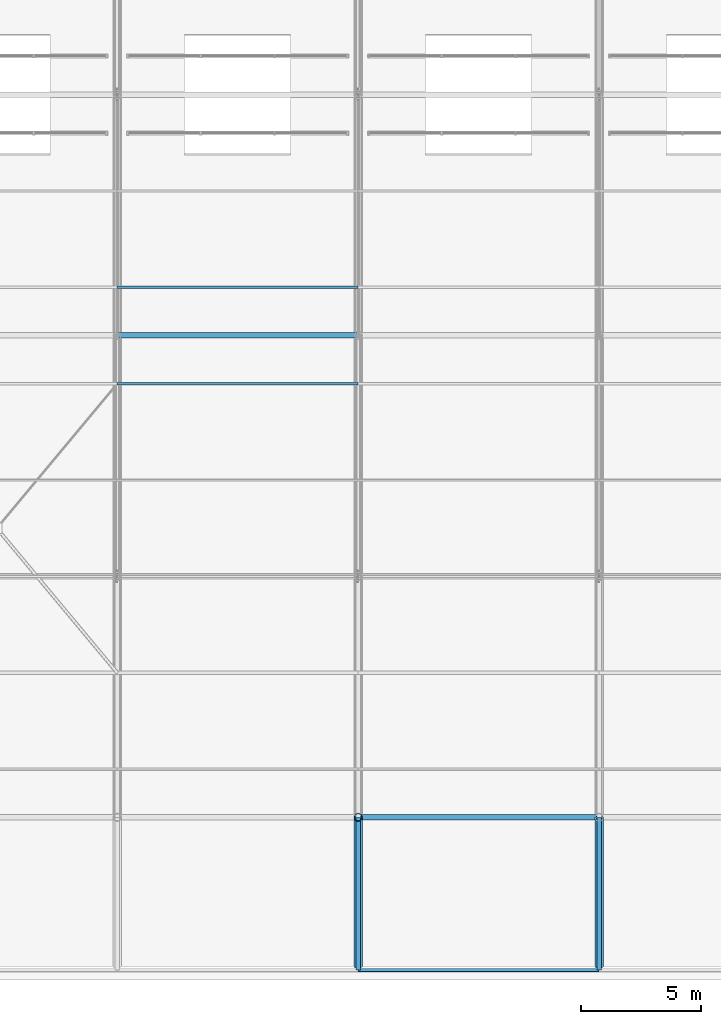
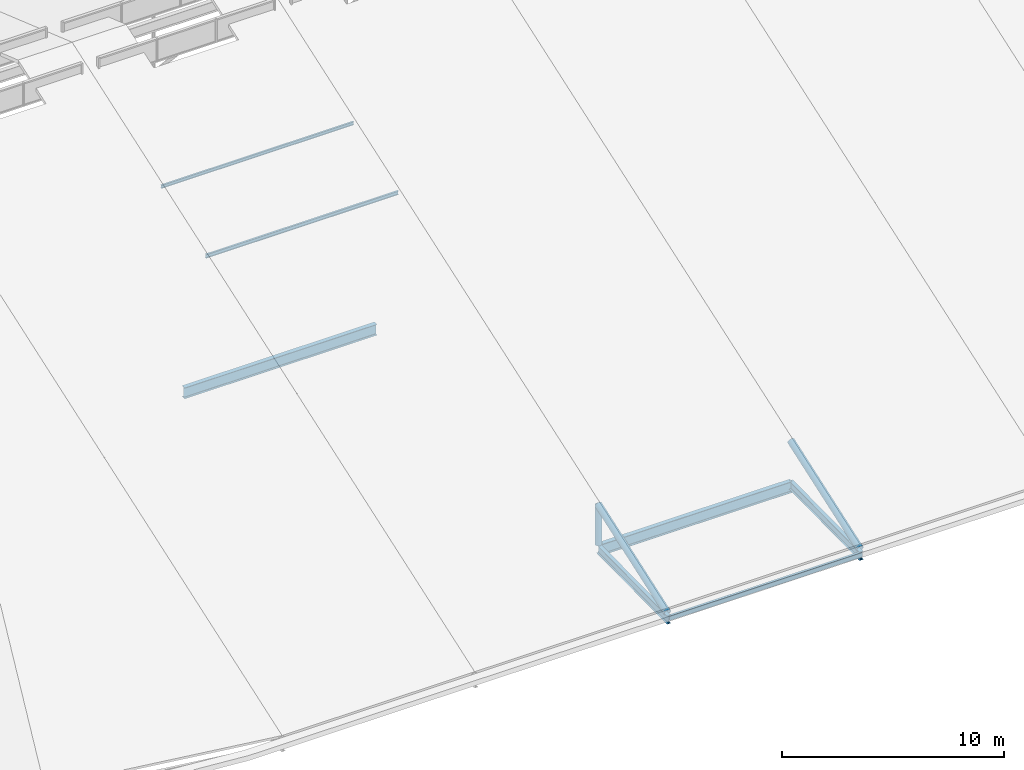
# One storey, part 16 of 93: 5 beams, 5 members.
"""IFC4 building model written with IfcOpenShell, lengths in metres."""

from ifc_helpers import new_model, si_unit, derived_unit, direction, frame, origin, origin_2d_with_axis, place, context, subcontext, project, spatial, hollow_rectangle, hollow_circle, i_section, extrude, material, material_profile, profile_set, type_object, element, save


model = new_model("IFC4")

# Units and contexts
model_context = context("Model", 3, precision=1e-05, world=origin(), true_north=direction((0.0, 1.0)))
body_context = subcontext(model_context, "Body", "Model", "MODEL_VIEW")
ifc_project = project(units=[si_unit("LENGTHUNIT", "METRE"), si_unit("AREAUNIT", "SQUARE_METRE"), si_unit("VOLUMEUNIT", "CUBIC_METRE"), si_unit("PLANEANGLEUNIT", "RADIAN"), si_unit("MASSUNIT", "GRAM", prefix="KILO"), derived_unit("THERMALTRANSMITTANCEUNIT", [(si_unit("POWERUNIT", "WATT"), 1), (si_unit("LENGTHUNIT", "METRE"), -2), (si_unit("THERMODYNAMICTEMPERATUREUNIT", "KELVIN"), -1)])], contexts=[model_context])

# Site, building, storey
site_placement = place(None, origin())
site = spatial("IfcSite", under=ifc_project, at=site_placement, CompositionType="ELEMENT")
building_placement = place(site_placement, origin())
building = spatial("IfcBuilding", under=site, at=building_placement, Name="Cinnabar Yard Market Hall", CompositionType="ELEMENT")
storey_placement = place(building_placement, frame((0.0, 0.0, 23.800048828125)))
storey = spatial("IfcBuildingStorey", under=building, at=storey_placement, Name="ROOF", CompositionType="ELEMENT", Elevation=23.800048828125)

# Beams
ifc_material_1 = material(Name="Steel Grade 350 (350 MPa)", Category="steel")
ifc_material_profile_1 = material_profile(ifc_material_1, i_section(OverallWidth=0.22900390625, OverallDepth=0.611572265625, WebThickness=0.011962890625, FlangeThickness=0.01953125, FilletRadius=0.013916015625, at=origin_2d_with_axis()), Name="610UB125")
ifc_profile_set_1 = profile_set([ifc_material_profile_1], Name="Steel Grade 350 (350 MPa)")
beam_type_1 = type_object("IfcBeamType", Name="BM-B01E", PredefinedType="BEAM", material=ifc_profile_set_1)
beam_1_placement = place(storey_placement, frame((106.0, 14.0, -9.705810546875), z_axis=(1.0, 0.0, 0.0), x_axis=(0.0, 1.0, 0.0)))
element("IfcBeam", 1, at=beam_1_placement, inside=storey, type_object=beam_type_1, Name="South Springer Girder 00360", PredefinedType="BEAM", context=body_context, shape_type="SweptSolid", body=[
    extrude(i_section(OverallWidth=0.22900390625, OverallDepth=0.611572265625, WebThickness=0.011962890625, FlangeThickness=0.01953125, FilletRadius=0.013916015625, at=origin_2d_with_axis()), origin(), (0.0, 0.0, 1.0), 10.0),
])
ifc_material_2 = material(Name="Steel Grade 300 (300 MPa)", Category="steel")
ifc_material_profile_2 = material_profile(ifc_material_2, i_section(OverallWidth=0.22802734375, OverallDepth=0.60205078125, WebThickness=0.010498046875, FlangeThickness=0.014892578125, FilletRadius=0.013916015625, at=origin_2d_with_axis()), Name="610UB101")
ifc_profile_set_2 = profile_set([ifc_material_profile_2], Name="Steel Grade 300 (300 MPa)")
beam_type_2 = type_object("IfcBeamType", Name="BM-B02", PredefinedType="BEAM", material=ifc_profile_set_2)
beam_2_placement = place(storey_placement, frame((96.0, 34.0, -9.700927734375), z_axis=(1.0, 0.0, 0.0), x_axis=(0.0, 1.0, 0.0)))
element("IfcBeam", 2, at=beam_2_placement, inside=storey, type_object=beam_type_2, Name="Hall Longitudinal Tie Girder 00382", PredefinedType="BEAM", context=body_context, shape_type="SweptSolid", body=[
    extrude(i_section(OverallWidth=0.22802734375, OverallDepth=0.60205078125, WebThickness=0.010498046875, FlangeThickness=0.014892578125, FilletRadius=0.013916015625, at=origin_2d_with_axis()), origin(), (0.0, 0.0, 1.0), 10.0),
])
ifc_material_profile_3 = material_profile(ifc_material_2, i_section(OverallWidth=0.19091796875, OverallDepth=0.46044921875, WebThickness=0.010009765625, FlangeThickness=0.01611328125, FilletRadius=0.011474609375, at=origin_2d_with_axis()), Name="460UB82.1")
ifc_profile_set_3 = profile_set([ifc_material_profile_3], Name="Steel Grade 300 (300 MPa)")
beam_type_3 = type_object("IfcBeamType", Name="BM-RF02E", PredefinedType="BEAM", material=ifc_profile_set_3)
for number, where, z_axis, x_axis, name in (
    (3, (106.0, 14.0, -9.630126953125), (0.0, -0.999920245484, -0.012629436656), (1.0, 0.0, 0.0), "South Chhajja Cantilever Rafter 00529"),
    (4, (116.0, 14.0, -9.630126953125), (0.0, -0.999920245484, -0.012629436656), (1.0, 0.0, 0.0), "South Chhajja Cantilever Rafter 00533"),
):
    element("IfcBeam", number, at=place(storey_placement, frame(where, z_axis=z_axis, x_axis=x_axis)), inside=storey, type_object=beam_type_3, Name=name, PredefinedType="BEAM", context=body_context, shape_type="SweptSolid", body=[
        extrude(i_section(OverallWidth=0.19091796875, OverallDepth=0.46044921875, WebThickness=0.010009765625, FlangeThickness=0.01611328125, FilletRadius=0.011474609375, at=origin_2d_with_axis()), origin(), (0.0, 0.0, 1.0), 6.340576171875),
    ])
ifc_material_3 = material(Name="Cold-formed steel C350L0", Category="steel")
ifc_material_profile_4 = material_profile(ifc_material_3, hollow_rectangle(XDim=0.14990234375, YDim=0.25, WallThickness=0.009033203125, InnerFilletRadius=0.009033203125, OuterFilletRadius=0.01806640625, at=origin_2d_with_axis()), Name="250x150x9.0RHS")
ifc_profile_set_4 = profile_set([ifc_material_profile_4], Name="Cold-formed steel C350L0")
beam_type_4 = type_object("IfcBeamType", Name="BM-SP01E", PredefinedType="SPANDREL", material=ifc_profile_set_4)
beam_3_placement = place(storey_placement, frame((106.0, 7.659912109375, -9.60498046875), z_axis=(1.0, 0.0, 0.0), x_axis=(0.0, 1.0, 0.0)))
element("IfcBeam", 5, at=beam_3_placement, inside=storey, type_object=beam_type_4, Name="South Eave Fascia 00552", PredefinedType="SPANDREL", context=body_context, shape_type="SweptSolid", body=[
    extrude(hollow_rectangle(XDim=0.14990234375, YDim=0.25, WallThickness=0.009033203125, InnerFilletRadius=0.009033203125, OuterFilletRadius=0.01806640625, at=origin_2d_with_axis()), origin(), (0.0, 0.0, 1.0), 10.0),
])

# Members
ifc_material_profile_5 = material_profile(ifc_material_2, i_section(OverallWidth=0.09912109375, OverallDepth=0.197998046875, WebThickness=0.00439453125, FlangeThickness=0.007080078125, FilletRadius=0.0087890625, at=origin_2d_with_axis()), Name="200UB18.2")
ifc_profile_set_5 = profile_set([ifc_material_profile_5], Name="Steel Grade 300 (300 MPa)")
member_type_1 = type_object("IfcMemberType", Name="MB-PU05", PredefinedType="PURLIN", material=ifc_profile_set_5)
member_1_placement = place(storey_placement, frame((96.0, 32.0, -1.016845703125), z_axis=(1.0, 0.0, 0.0), x_axis=(0.0, 1.0, 0.0)))
element("IfcMember", 6, at=member_1_placement, inside=storey, type_object=member_type_1, Name="Hall Roof Purlin Y32 X96", PredefinedType="PURLIN", context=body_context, shape_type="SweptSolid", body=[
    extrude(i_section(OverallWidth=0.09912109375, OverallDepth=0.197998046875, WebThickness=0.00439453125, FlangeThickness=0.007080078125, FilletRadius=0.0087890625, at=origin_2d_with_axis()), origin(), (0.0, 0.0, 1.0), 10.0),
])
ifc_material_profile_6 = material_profile(ifc_material_2, i_section(OverallWidth=0.090087890625, OverallDepth=0.173095703125, WebThickness=0.00439453125, FlangeThickness=0.007080078125, FilletRadius=0.0087890625, at=origin_2d_with_axis()), Name="180UB16.1")
ifc_profile_set_6 = profile_set([ifc_material_profile_6], Name="Steel Grade 300 (300 MPa)")
member_type_2 = type_object("IfcMemberType", Name="MB-PU06", PredefinedType="PURLIN", material=ifc_profile_set_6)
member_2_placement = place(storey_placement, frame((96.0, 36.0, 0.37548828125), z_axis=(1.0, 0.0, 0.0), x_axis=(0.0, 1.0, 0.0)))
element("IfcMember", 7, at=member_2_placement, inside=storey, type_object=member_type_2, Name="Hall Roof Purlin Y36 X96", PredefinedType="PURLIN", context=body_context, shape_type="SweptSolid", body=[
    extrude(i_section(OverallWidth=0.090087890625, OverallDepth=0.173095703125, WebThickness=0.00439453125, FlangeThickness=0.007080078125, FilletRadius=0.0087890625, at=origin_2d_with_axis()), origin(), (0.0, 0.0, 1.0), 10.0),
])
ifc_material_4 = material(Name="Spotted-gum glulam-clad steel Grade 350 (350 MPa)", Category="steel")
ifc_material_profile_7 = material_profile(ifc_material_4, hollow_circle(Radius=0.161865234375, WallThickness=0.009521484375, at=origin_2d_with_axis()), Name="323.9x9.5CHS")
ifc_profile_set_7 = profile_set([ifc_material_profile_7], Name="Spotted-gum glulam-clad steel Grade 350 (350 MPa)")
member_type_3 = type_object("IfcMemberType", Name="MB-ST01E", PredefinedType="STRUT", material=ifc_profile_set_7)
member_3_placement = place(storey_placement, frame((106.0, 14.0, -9.400146484375), z_axis=(0.0, 0.0, 1.0), x_axis=(1.0, 0.0, 0.0)))
element("IfcMember", 8, at=member_3_placement, inside=storey, type_object=member_type_3, Name="Truss Bearing Post 106-14", PredefinedType="STRUT", context=body_context, shape_type="SweptSolid", body=[
    extrude(hollow_circle(Radius=0.161865234375, WallThickness=0.009521484375, at=origin_2d_with_axis()), origin(), (0.0, 0.0, 1.0), 2.158203125),
])
ifc_material_profile_8 = material_profile(ifc_material_3, hollow_circle(Radius=0.177734375, WallThickness=0.0126953125, at=origin_2d_with_axis()), Name="355.6x12.7CHS")
ifc_profile_set_8 = profile_set([ifc_material_profile_8], Name="Cold-formed steel C350L0")
member_type_4 = type_object("IfcMemberType", Name="MB-TC01E", PredefinedType="CHORD", material=ifc_profile_set_8)
for number, where, z_axis, x_axis, name in (
    (9, (106.0, 14.0, -7.241943359375), (0.0, -0.944416495302, -0.328751400609), (1.0, 0.0, 0.0), "South Sloped Eave Rafter 106"),
    (10, (116.0, 14.0, -7.241943359375), (0.0, -0.944416495302, -0.328751400609), (1.0, 0.0, 0.0), "South Sloped Eave Rafter 116"),
):
    element("IfcMember", number, at=place(storey_placement, frame(where, z_axis=z_axis, x_axis=x_axis)), inside=storey, type_object=member_type_4, Name=name, PredefinedType="CHORD", context=body_context, shape_type="SweptSolid", body=[
        extrude(hollow_circle(Radius=0.177734375, WallThickness=0.0126953125, at=origin_2d_with_axis()), origin(), (0.0, 0.0, 1.0), 6.56494140625),
    ])

save(model, "model.ifc")
